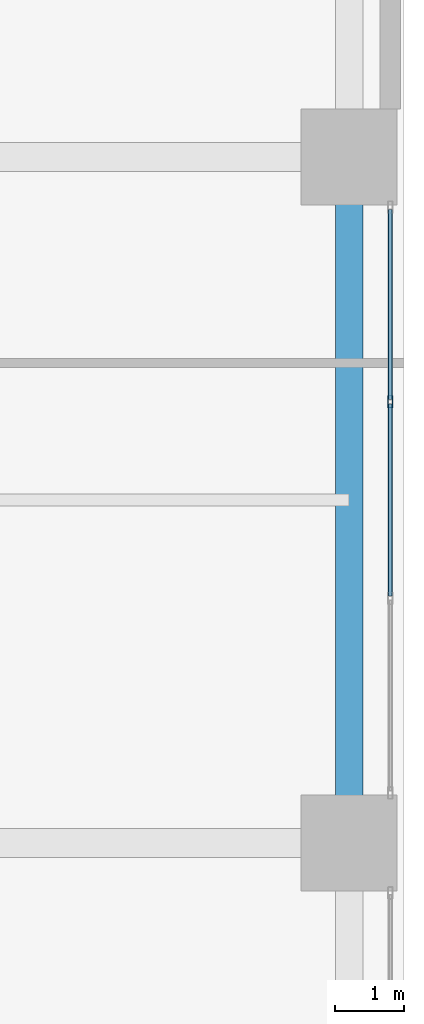
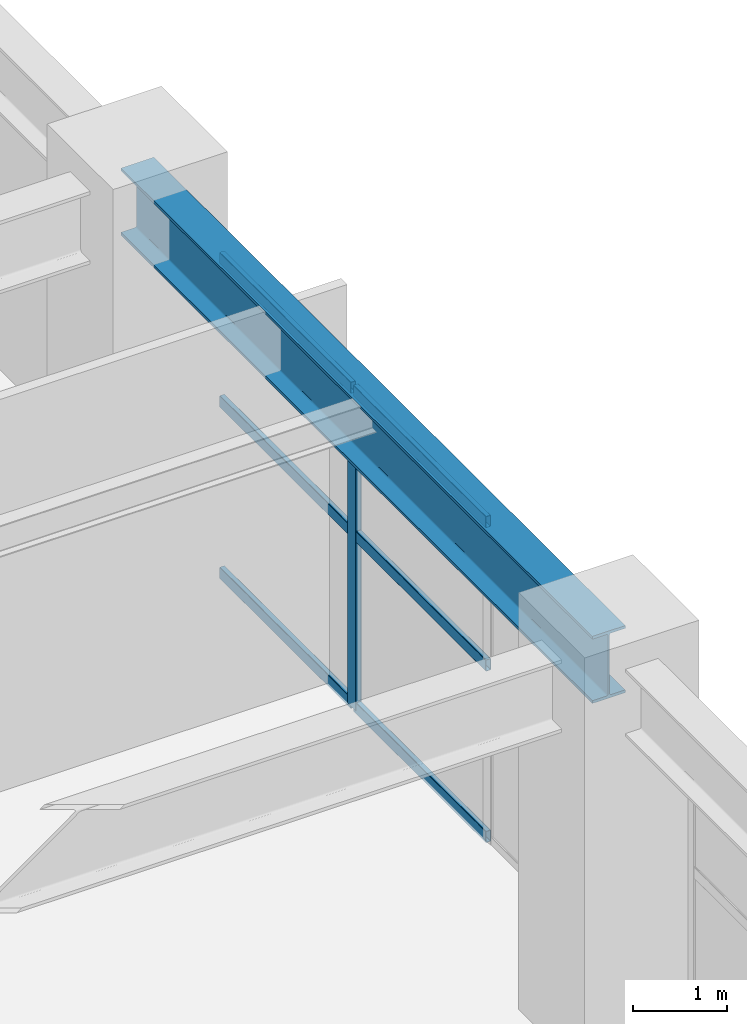
# One storey, part 16 of 28: 7 members, 1 beam, 1 element without a shape of its own.
"""IFC4 building model written with IfcOpenShell, lengths in metres."""

from ifc_helpers import new_model, si_unit, direction, frame, origin, origin_2d, place, context, subcontext, project, spatial, hollow_rectangle, i_section, extrude, material, layer, layer_set, material_profile, profile_set, type_object, element, aggregate, save


model = new_model("IFC4")

# Units and contexts
model_context = context("Model", 3, precision=1e-05, world=origin(), true_north=direction((0.0, 1.0)))
body_context = subcontext(model_context, "Body", "Model", "MODEL_VIEW")
ifc_project = project(units=[si_unit("LENGTHUNIT", "METRE"), si_unit("AREAUNIT", "SQUARE_METRE"), si_unit("VOLUMEUNIT", "CUBIC_METRE"), si_unit("PLANEANGLEUNIT", "RADIAN"), si_unit("MASSUNIT", "GRAM", prefix="KILO")], contexts=[model_context])

# Site, building, storey
site_placement = place(None, origin())
site = spatial("IfcSite", under=ifc_project, at=site_placement, CompositionType="ELEMENT")
building_placement = place(site_placement, origin())
building = spatial("IfcBuilding", under=site, at=building_placement, Name="Soratama Intermodal Tower", CompositionType="ELEMENT")
storey_placement = place(building_placement, frame((0.0, 0.0, 6.0)))
storey = spatial("IfcBuildingStorey", under=building, at=storey_placement, Name="L01", CompositionType="ELEMENT", Elevation=6.0)

# Beam
ifc_material_1 = material(Name="Structural steel ASTM A992 Grade 50", Category="steel")
ifc_material_profile_1 = material_profile(ifc_material_1, i_section(OverallWidth=0.403076171875, OverallDepth=0.867919921875, WebThickness=0.02099609375, FlangeThickness=0.03564453125, FilletRadius=0.01806640625, at=origin_2d()), Name="W33X241")
ifc_profile_set_1 = profile_set([ifc_material_profile_1], Name="Structural steel ASTM A992 Grade 50")
beam_type = type_object("IfcBeamType", Name="BM-POD-EXT-W33", PredefinedType="BEAM", material=ifc_profile_set_1)
beam_placement = place(storey_placement, frame((83.199951171875, 25.0, 4.64599609375), z_axis=(0.0, 1.0, 0.0), x_axis=(-1.0, 0.0, 0.0)))
element("IfcBeam", 1, at=beam_placement, inside=storey, type_object=beam_type, Name="L01 Station Girder Y4-3", PredefinedType="BEAM", context=body_context, shape_type="SweptSolid", body=[
    extrude(i_section(OverallWidth=0.403076171875, OverallDepth=0.867919921875, WebThickness=0.02099609375, FlangeThickness=0.03564453125, FilletRadius=0.01806640625, at=origin_2d()), origin(), (0.0, 0.0, 1.0), 10.0),
])

# Curtain wall, members
ifc_material_2 = material(Name="Double-glazed aluminium curtain wall", Category="aluminium")
ifc_layer = layer(ifc_material_2, 0.159912109375)
ifc_layer_set = layer_set([ifc_layer], Name="Double-glazed aluminium curtain wall")
curtain_wall_type = type_object("IfcCurtainWallType", Name="CW-SYS-1", PredefinedType="NOTDEFINED", material=ifc_layer_set)
curtain_wall_placement = place(storey_placement, origin())
curtain_wall = element("IfcCurtainWall", 2, at=curtain_wall_placement, inside=storey, type_object=curtain_wall_type, Name="L01 Station Curtain Wall E2", PredefinedType="NOTDEFINED")
ifc_material_3 = material(Name="Anodised aluminium AA 6063-T6", Category="aluminium")
ifc_material_profile_2 = material_profile(ifc_material_3, hollow_rectangle(XDim=0.074951171875, YDim=0.179931640625, WallThickness=0.006103515625, InnerFilletRadius=0.006103515625, OuterFilletRadius=0.011962890625, at=origin_2d()), Name="CWM180X75X6")
ifc_profile_set_2 = profile_set([ifc_material_profile_2], Name="Anodised aluminium AA 6063-T6")
member_type_1 = type_object("IfcMemberType", Name="MT-CWM-1", PredefinedType="MULLION", material=ifc_profile_set_2)
member_1_placement = place(storey_placement, frame((83.800048828125, 31.433349609375, 0.0), z_axis=(0.0, 0.0, 1.0), x_axis=(-1.0, 0.0, 0.0)))
member_1 = element("IfcMember", 3, at=member_1_placement, type_object=member_type_1, Name="CW-1 mullion 3", PredefinedType="MULLION", context=body_context, shape_type="SweptSolid", body=[
    extrude(hollow_rectangle(XDim=0.074951171875, YDim=0.179931640625, WallThickness=0.006103515625, InnerFilletRadius=0.006103515625, OuterFilletRadius=0.011962890625, at=origin_2d()), origin(), (0.0, 0.0, 1.0), 4.135986328125),
])
ifc_material_4 = material(Name="Anodised aluminium AA 6063-T6", Category="aluminium")
ifc_material_profile_3 = material_profile(ifc_material_4, hollow_rectangle(XDim=0.06494140625, YDim=0.14990234375, WallThickness=0.0048828125, InnerFilletRadius=0.0048828125, OuterFilletRadius=0.010009765625, at=origin_2d()), Name="CWT150X65X5")
ifc_profile_set_3 = profile_set([ifc_material_profile_3], Name="Anodised aluminium AA 6063-T6")
member_type_2 = type_object("IfcMemberType", Name="TT-CWT-1", PredefinedType="USERDEFINED", material=ifc_profile_set_3)
member_2_placement = place(storey_placement, frame((83.800048828125, 28.5966796875, 0.030029296875), z_axis=(0.0, 1.0, 0.0), x_axis=(-1.0, 0.0, 0.0)))
member_2 = element("IfcMember", 4, at=member_2_placement, type_object=member_type_2, Name="CW-1 transom 2.1", ObjectType="TRANSOM", PredefinedType="USERDEFINED", context=body_context, shape_type="SweptSolid", body=[
    extrude(hollow_rectangle(XDim=0.06494140625, YDim=0.14990234375, WallThickness=0.0048828125, InnerFilletRadius=0.0048828125, OuterFilletRadius=0.010009765625, at=origin_2d()), origin(), (0.0, 0.0, 1.0), 2.806640625),
])
member_3_placement = place(storey_placement, frame((83.800048828125, 28.5966796875, 2.25), z_axis=(0.0, 1.0, 0.0), x_axis=(-1.0, 0.0, 0.0)))
member_3 = element("IfcMember", 5, at=member_3_placement, type_object=member_type_2, Name="CW-1 transom 2.2", ObjectType="TRANSOM", PredefinedType="USERDEFINED", context=body_context, shape_type="SweptSolid", body=[
    extrude(hollow_rectangle(XDim=0.06494140625, YDim=0.14990234375, WallThickness=0.0048828125, InnerFilletRadius=0.0048828125, OuterFilletRadius=0.010009765625, at=origin_2d()), origin(), (0.0, 0.0, 1.0), 2.806640625),
])
member_4_placement = place(storey_placement, frame((83.800048828125, 28.5966796875, 4.10595703125), z_axis=(0.0, 1.0, 0.0), x_axis=(-1.0, 0.0, 0.0)))
member_4 = element("IfcMember", 6, at=member_4_placement, type_object=member_type_2, Name="CW-1 transom 2.3", ObjectType="TRANSOM", PredefinedType="USERDEFINED", context=body_context, shape_type="SweptSolid", body=[
    extrude(hollow_rectangle(XDim=0.06494140625, YDim=0.14990234375, WallThickness=0.0048828125, InnerFilletRadius=0.0048828125, OuterFilletRadius=0.010009765625, at=origin_2d()), origin(), (0.0, 0.0, 1.0), 2.806640625),
])
member_5_placement = place(storey_placement, frame((83.800048828125, 31.46337890625, 0.030029296875), z_axis=(0.0, 1.0, 0.0), x_axis=(-1.0, 0.0, 0.0)))
member_5 = element("IfcMember", 7, at=member_5_placement, type_object=member_type_2, Name="CW-1 transom 3.1", ObjectType="TRANSOM", PredefinedType="USERDEFINED", context=body_context, shape_type="SweptSolid", body=[
    extrude(hollow_rectangle(XDim=0.06494140625, YDim=0.14990234375, WallThickness=0.0048828125, InnerFilletRadius=0.0048828125, OuterFilletRadius=0.010009765625, at=origin_2d()), origin(), (0.0, 0.0, 1.0), 2.776611328125),
])
member_6_placement = place(storey_placement, frame((83.800048828125, 31.46337890625, 2.25), z_axis=(0.0, 1.0, 0.0), x_axis=(-1.0, 0.0, 0.0)))
member_6 = element("IfcMember", 8, at=member_6_placement, type_object=member_type_2, Name="CW-1 transom 3.2", ObjectType="TRANSOM", PredefinedType="USERDEFINED", context=body_context, shape_type="SweptSolid", body=[
    extrude(hollow_rectangle(XDim=0.06494140625, YDim=0.14990234375, WallThickness=0.0048828125, InnerFilletRadius=0.0048828125, OuterFilletRadius=0.010009765625, at=origin_2d()), origin(), (0.0, 0.0, 1.0), 2.776611328125),
])
member_7_placement = place(storey_placement, frame((83.800048828125, 31.46337890625, 4.10595703125), z_axis=(0.0, 1.0, 0.0), x_axis=(-1.0, 0.0, 0.0)))
member_7 = element("IfcMember", 9, at=member_7_placement, type_object=member_type_2, Name="CW-1 transom 3.3", ObjectType="TRANSOM", PredefinedType="USERDEFINED", context=body_context, shape_type="SweptSolid", body=[
    extrude(hollow_rectangle(XDim=0.06494140625, YDim=0.14990234375, WallThickness=0.0048828125, InnerFilletRadius=0.0048828125, OuterFilletRadius=0.010009765625, at=origin_2d()), origin(), (0.0, 0.0, 1.0), 2.776611328125),
])
aggregate(curtain_wall, [member_1, member_2, member_3, member_4, member_5, member_6, member_7])

save(model, "model.ifc")
